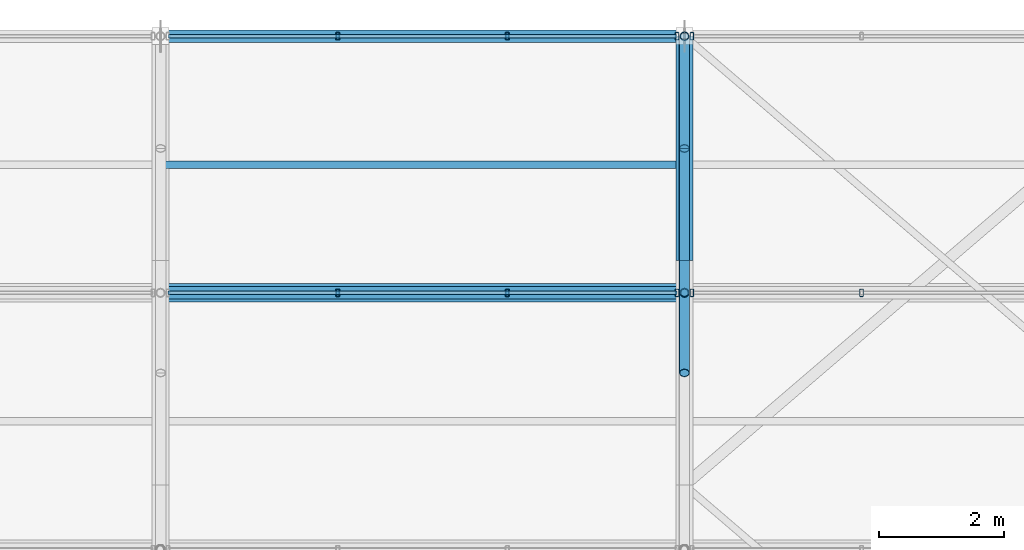
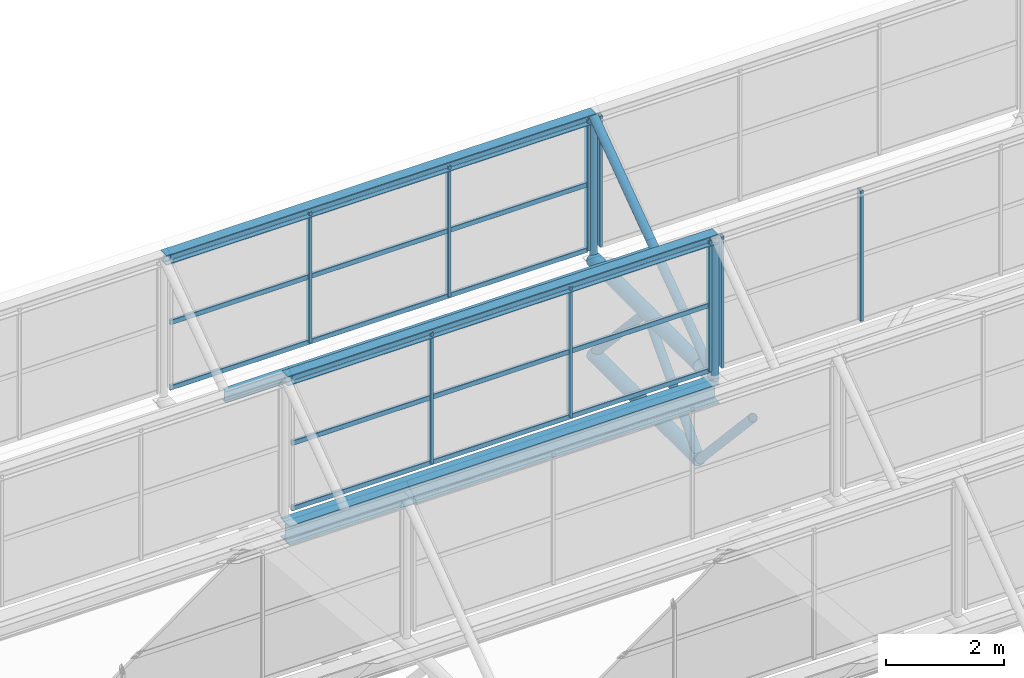
# One storey, part 92 of 134: 23 members, 4 beams, 4 elements without a shape of their own.
"""IFC4 building model written with IfcOpenShell, lengths in metres."""

from ifc_helpers import new_model, si_unit, derived_unit, direction, frame, origin, origin_2d, place, context, subcontext, project, spatial, hollow_rectangle, hollow_circle, i_section, extrude, material, material_profile, profile_set, type_object, element, aggregate, save


model = new_model("IFC4")

# Units and contexts
model_context = context("Model", 3, precision=1e-05, world=origin(), true_north=direction((0.0, 1.0)))
body_context = subcontext(model_context, "Body", "Model", "MODEL_VIEW")
ifc_project = project(units=[si_unit("LENGTHUNIT", "METRE"), si_unit("AREAUNIT", "SQUARE_METRE"), si_unit("VOLUMEUNIT", "CUBIC_METRE"), si_unit("PLANEANGLEUNIT", "RADIAN"), si_unit("MASSUNIT", "GRAM", prefix="KILO"), derived_unit("THERMALTRANSMITTANCEUNIT", [(si_unit("MASSUNIT", "GRAM", prefix="KILO"), 1), (si_unit("TIMEUNIT", "SECOND"), -3), (si_unit("THERMODYNAMICTEMPERATUREUNIT", "KELVIN"), -1)])], contexts=[model_context])

# Site, building, storey
site_placement = place(None, origin())
site = spatial("IfcSite", under=ifc_project, at=site_placement, CompositionType="ELEMENT")
building_placement = place(site_placement, origin())
building = spatial("IfcBuilding", under=site, at=building_placement, Name="Kharveza Railside Sports Centre", CompositionType="ELEMENT")
storey_placement = place(building_placement, frame((0.0, 0.0, 12.89990234375)))
storey = spatial("IfcBuildingStorey", under=building, at=storey_placement, Name="L03", CompositionType="ELEMENT", Elevation=12.89990234375)

# Beams
ifc_material_1 = material(Name="Steel S355J2", Category="steel")
ifc_material_profile_1 = material_profile(ifc_material_1, i_section(OverallWidth=0.300048828125, OverallDepth=0.39990234375, WebThickness=0.013427734375, FlangeThickness=0.02392578125, FilletRadius=0.027099609375, at=origin_2d()), Name="HEB 400")
ifc_profile_set_1 = profile_set([ifc_material_profile_1], Name="Steel S355J2")
beam_type_1 = type_object("IfcBeamType", Name="BM-G07", PredefinedType="T_BEAM", material=ifc_profile_set_1)
beam_1_placement = place(storey_placement, frame((126.0, 103.8857421875, 1.760009765625), z_axis=(1.0, 0.0, 0.0), x_axis=(0.0, 1.0, 0.0)))
element("IfcBeam", 1, at=beam_1_placement, inside=storey, type_object=beam_type_1, Name="BM-V2SAW-VAL-7-5", PredefinedType="T_BEAM", context=body_context, shape_type="SweptSolid", body=[
    extrude(i_section(OverallWidth=0.300048828125, OverallDepth=0.39990234375, WebThickness=0.013427734375, FlangeThickness=0.02392578125, FilletRadius=0.027099609375, at=origin_2d()), origin(), (0.0, 0.0, 1.0), 8.39990234375),
])
ifc_material_2 = material(Name="Steel S275JR", Category="steel")
ifc_material_profile_2 = material_profile(ifc_material_2, i_section(OverallWidth=0.1201171875, OverallDepth=0.239990234375, WebThickness=0.006103515625, FlangeThickness=0.009765625, FilletRadius=0.014892578125, at=origin_2d()), Name="IPE 240")
ifc_profile_set_2 = profile_set([ifc_material_profile_2], Name="Steel S275JR")
beam_type_2 = type_object("IfcBeamType", Name="BM-J01", PredefinedType="JOIST", material=ifc_profile_set_2)
beam_2_placement = place(storey_placement, frame((126.0, 105.94287109375, 3.320068359375), z_axis=(1.0, 0.0, 0.0), x_axis=(0.0, 1.0, 0.0)))
element("IfcBeam", 2, at=beam_2_placement, inside=storey, type_object=beam_type_2, Name="BM-V2SAW-PUR-7-5", PredefinedType="JOIST", context=body_context, shape_type="SweptSolid", body=[
    extrude(i_section(OverallWidth=0.1201171875, OverallDepth=0.239990234375, WebThickness=0.006103515625, FlangeThickness=0.009765625, FilletRadius=0.014892578125, at=origin_2d()), origin(), (0.0, 0.0, 1.0), 8.39990234375),
])
ifc_material_profile_3 = material_profile(ifc_material_2, i_section(OverallWidth=0.199951171875, OverallDepth=0.199951171875, WebThickness=0.009033203125, FlangeThickness=0.014892578125, FilletRadius=0.01806640625, at=origin_2d()), Name="HEB 200")
ifc_profile_set_3 = profile_set([ifc_material_profile_3], Name="Steel S275JR")
beam_type_3 = type_object("IfcBeamType", Name="BM-J05", PredefinedType="JOIST", material=ifc_profile_set_3)
for number, where, z_axis, x_axis, name in (
    (3, (126.0, 103.8857421875, 4.920166015625), (1.0, 0.0, 0.0), (0.0, 1.0, 0.0), "BM-V2SAW-RDG-6-5"),
    (4, (126.0, 108.0, 4.920166015625), (1.0, 0.0, 0.0), (0.0, 1.0, 0.0), "BM-V2SAW-RDG-7-5"),
):
    element("IfcBeam", number, at=place(storey_placement, frame(where, z_axis=z_axis, x_axis=x_axis)), inside=storey, type_object=beam_type_3, Name=name, PredefinedType="JOIST", context=body_context, shape_type="SweptSolid", body=[
        extrude(i_section(OverallWidth=0.199951171875, OverallDepth=0.199951171875, WebThickness=0.009033203125, FlangeThickness=0.014892578125, FilletRadius=0.01806640625, at=origin_2d()), origin(), (0.0, 0.0, 1.0), 8.39990234375),
    ])

# Curtain wall, members
ifc_material_3 = material(Name="Low-E solar-control laminated glass", Category="glass")
curtain_wall_type = type_object("IfcCurtainWallType", Name="CW-NL02", PredefinedType="NOTDEFINED", material=ifc_material_3)
curtain_wall_1_placement = place(storey_placement, origin())
curtain_wall_1 = element("IfcCurtainWall", 5, at=curtain_wall_1_placement, inside=storey, type_object=curtain_wall_type, Name="CW-V2NL-6-5", PredefinedType="NOTDEFINED")
ifc_material_4 = material(Name="Anodised aluminium 6063-T6", Category="aluminium")
ifc_material_profile_4 = material_profile(ifc_material_4, hollow_rectangle(XDim=0.06005859375, YDim=0.1201171875, WallThickness=0.0048828125, InnerFilletRadius=0.0048828125, OuterFilletRadius=0.010009765625, at=origin_2d()), Name="RHS 60x120x5.0")
ifc_profile_set_4 = profile_set([ifc_material_profile_4], Name="Anodised aluminium 6063-T6")
member_type_1 = type_object("IfcMemberType", Name="CW-ML05", PredefinedType="MULLION", material=ifc_profile_set_4)
member_1_placement = place(storey_placement, frame((128.840087890625, 103.8857421875, 2.2001953125), z_axis=(0.0, 0.0, 1.0), x_axis=(1.0, 0.0, 0.0)))
member_1 = element("IfcMember", 6, at=member_1_placement, type_object=member_type_1, Name="CW-V2NL-6-5-ML2", PredefinedType="MULLION", context=body_context, shape_type="SweptSolid", body=[
    extrude(hollow_rectangle(XDim=0.06005859375, YDim=0.1201171875, WallThickness=0.0048828125, InnerFilletRadius=0.0048828125, OuterFilletRadius=0.010009765625, at=origin_2d()), origin(), (0.0, 0.0, 1.0), 2.699951171875),
])
member_2_placement = place(storey_placement, frame((131.56005859375, 103.8857421875, 2.2001953125), z_axis=(0.0, 0.0, 1.0), x_axis=(1.0, 0.0, 0.0)))
member_2 = element("IfcMember", 7, at=member_2_placement, type_object=member_type_1, Name="CW-V2NL-6-5-ML3", PredefinedType="MULLION", context=body_context, shape_type="SweptSolid", body=[
    extrude(hollow_rectangle(XDim=0.06005859375, YDim=0.1201171875, WallThickness=0.0048828125, InnerFilletRadius=0.0048828125, OuterFilletRadius=0.010009765625, at=origin_2d()), origin(), (0.0, 0.0, 1.0), 2.699951171875),
])
member_3_placement = place(storey_placement, frame((134.280029296875, 103.8857421875, 2.2001953125), z_axis=(0.0, 0.0, 1.0), x_axis=(1.0, 0.0, 0.0)))
member_3 = element("IfcMember", 8, at=member_3_placement, type_object=member_type_1, Name="CW-V2NL-6-5-ML4", PredefinedType="MULLION", context=body_context, shape_type="SweptSolid", body=[
    extrude(hollow_rectangle(XDim=0.06005859375, YDim=0.1201171875, WallThickness=0.0048828125, InnerFilletRadius=0.0048828125, OuterFilletRadius=0.010009765625, at=origin_2d()), origin(), (0.0, 0.0, 1.0), 2.699951171875),
])

curtain_wall_2_placement = place(storey_placement, origin())
curtain_wall_2 = element("IfcCurtainWall", 9, at=curtain_wall_2_placement, inside=storey, type_object=curtain_wall_type, Name="CW-V2NL-6-6", PredefinedType="NOTDEFINED")
member_4_placement = place(storey_placement, frame((134.52001953125, 103.8857421875, 2.2001953125), z_axis=(0.0, 0.0, 1.0), x_axis=(1.0, 0.0, 0.0)))
member_4 = element("IfcMember", 10, at=member_4_placement, type_object=member_type_1, Name="CW-V2NL-6-6-ML1", PredefinedType="MULLION", context=body_context, shape_type="SweptSolid", body=[
    extrude(hollow_rectangle(XDim=0.06005859375, YDim=0.1201171875, WallThickness=0.0048828125, InnerFilletRadius=0.0048828125, OuterFilletRadius=0.010009765625, at=origin_2d()), origin(), (0.0, 0.0, 1.0), 2.699951171875),
])
member_5_placement = place(storey_placement, frame((137.239990234375, 103.8857421875, 2.2001953125), z_axis=(0.0, 0.0, 1.0), x_axis=(1.0, 0.0, 0.0)))
member_5 = element("IfcMember", 11, at=member_5_placement, type_object=member_type_1, Name="CW-V2NL-6-6-ML2", PredefinedType="MULLION", context=body_context, shape_type="SweptSolid", body=[
    extrude(hollow_rectangle(XDim=0.06005859375, YDim=0.1201171875, WallThickness=0.0048828125, InnerFilletRadius=0.0048828125, OuterFilletRadius=0.010009765625, at=origin_2d()), origin(), (0.0, 0.0, 1.0), 2.699951171875),
])
aggregate(curtain_wall_2, [member_4, member_5])

curtain_wall_3_placement = place(storey_placement, origin())
curtain_wall_3 = element("IfcCurtainWall", 12, at=curtain_wall_3_placement, inside=storey, type_object=curtain_wall_type, Name="CW-V2NL-7-5", PredefinedType="NOTDEFINED")
member_6_placement = place(storey_placement, frame((128.840087890625, 108.0, 2.2001953125), z_axis=(0.0, 0.0, 1.0), x_axis=(1.0, 0.0, 0.0)))
member_6 = element("IfcMember", 13, at=member_6_placement, type_object=member_type_1, Name="CW-V2NL-7-5-ML2", PredefinedType="MULLION", context=body_context, shape_type="SweptSolid", body=[
    extrude(hollow_rectangle(XDim=0.06005859375, YDim=0.1201171875, WallThickness=0.0048828125, InnerFilletRadius=0.0048828125, OuterFilletRadius=0.010009765625, at=origin_2d()), origin(), (0.0, 0.0, 1.0), 2.699951171875),
])
member_7_placement = place(storey_placement, frame((131.56005859375, 108.0, 2.2001953125), z_axis=(0.0, 0.0, 1.0), x_axis=(1.0, 0.0, 0.0)))
member_7 = element("IfcMember", 14, at=member_7_placement, type_object=member_type_1, Name="CW-V2NL-7-5-ML3", PredefinedType="MULLION", context=body_context, shape_type="SweptSolid", body=[
    extrude(hollow_rectangle(XDim=0.06005859375, YDim=0.1201171875, WallThickness=0.0048828125, InnerFilletRadius=0.0048828125, OuterFilletRadius=0.010009765625, at=origin_2d()), origin(), (0.0, 0.0, 1.0), 2.699951171875),
])
member_8_placement = place(storey_placement, frame((134.280029296875, 108.0, 2.2001953125), z_axis=(0.0, 0.0, 1.0), x_axis=(1.0, 0.0, 0.0)))
member_8 = element("IfcMember", 15, at=member_8_placement, type_object=member_type_1, Name="CW-V2NL-7-5-ML4", PredefinedType="MULLION", context=body_context, shape_type="SweptSolid", body=[
    extrude(hollow_rectangle(XDim=0.06005859375, YDim=0.1201171875, WallThickness=0.0048828125, InnerFilletRadius=0.0048828125, OuterFilletRadius=0.010009765625, at=origin_2d()), origin(), (0.0, 0.0, 1.0), 2.699951171875),
])

# Curtain wall, member
curtain_wall_4_placement = place(storey_placement, origin())
curtain_wall_4 = element("IfcCurtainWall", 16, at=curtain_wall_4_placement, inside=storey, type_object=curtain_wall_type, Name="CW-V2NL-7-6", PredefinedType="NOTDEFINED")
member_9_placement = place(storey_placement, frame((134.52001953125, 108.0, 2.2001953125), z_axis=(0.0, 0.0, 1.0), x_axis=(1.0, 0.0, 0.0)))
member_9 = element("IfcMember", 17, at=member_9_placement, type_object=member_type_1, Name="CW-V2NL-7-6-ML1", PredefinedType="MULLION", context=body_context, shape_type="SweptSolid", body=[
    extrude(hollow_rectangle(XDim=0.06005859375, YDim=0.1201171875, WallThickness=0.0048828125, InnerFilletRadius=0.0048828125, OuterFilletRadius=0.010009765625, at=origin_2d()), origin(), (0.0, 0.0, 1.0), 2.699951171875),
])
aggregate(curtain_wall_4, [member_9])

# Member
ifc_material_profile_5 = material_profile(ifc_material_4, hollow_rectangle(XDim=0.06005859375, YDim=0.10009765625, WallThickness=0.00390625, InnerFilletRadius=0.00390625, OuterFilletRadius=0.008056640625, at=origin_2d()), Name="RHS 60x100x4.0")
ifc_profile_set_5 = profile_set([ifc_material_profile_5], Name="Anodised aluminium 6063-T6")
member_type_2 = type_object("IfcMemberType", Name="CW-TR05", PredefinedType="USERDEFINED", material=ifc_profile_set_5)
member_10_placement = place(storey_placement, frame((126.1201171875, 103.8857421875, 2.2001953125), z_axis=(1.0, 0.0, 0.0), x_axis=(0.0, 1.0, 0.0)))
member_10 = element("IfcMember", 18, at=member_10_placement, type_object=member_type_2, Name="CW-V2NL-6-5-TR1", ObjectType="TRANSOM", PredefinedType="USERDEFINED", context=body_context, shape_type="SweptSolid", body=[
    extrude(hollow_rectangle(XDim=0.06005859375, YDim=0.10009765625, WallThickness=0.00390625, InnerFilletRadius=0.00390625, OuterFilletRadius=0.008056640625, at=origin_2d()), origin(), (0.0, 0.0, 1.0), 8.159912109375),
])

member_11_placement = place(storey_placement, frame((126.1201171875, 103.8857421875, 3.550048828125), z_axis=(1.0, 0.0, 0.0), x_axis=(0.0, 1.0, 0.0)))
member_11 = element("IfcMember", 19, at=member_11_placement, type_object=member_type_2, Name="CW-V2NL-6-5-TR2", ObjectType="TRANSOM", PredefinedType="USERDEFINED", context=body_context, shape_type="SweptSolid", body=[
    extrude(hollow_rectangle(XDim=0.06005859375, YDim=0.10009765625, WallThickness=0.00390625, InnerFilletRadius=0.00390625, OuterFilletRadius=0.008056640625, at=origin_2d()), origin(), (0.0, 0.0, 1.0), 8.159912109375),
])

member_12_placement = place(storey_placement, frame((126.1201171875, 103.8857421875, 4.900146484375), z_axis=(1.0, 0.0, 0.0), x_axis=(0.0, 1.0, 0.0)))
member_12 = element("IfcMember", 20, at=member_12_placement, type_object=member_type_2, Name="CW-V2NL-6-5-TR3", ObjectType="TRANSOM", PredefinedType="USERDEFINED", context=body_context, shape_type="SweptSolid", body=[
    extrude(hollow_rectangle(XDim=0.06005859375, YDim=0.10009765625, WallThickness=0.00390625, InnerFilletRadius=0.00390625, OuterFilletRadius=0.008056640625, at=origin_2d()), origin(), (0.0, 0.0, 1.0), 8.159912109375),
])

aggregate(curtain_wall_1, [member_1, member_2, member_3, member_10, member_11, member_12])

member_13_placement = place(storey_placement, frame((126.1201171875, 108.0, 2.2001953125), z_axis=(1.0, 0.0, 0.0), x_axis=(0.0, 1.0, 0.0)))
member_13 = element("IfcMember", 21, at=member_13_placement, type_object=member_type_2, Name="CW-V2NL-7-5-TR1", ObjectType="TRANSOM", PredefinedType="USERDEFINED", context=body_context, shape_type="SweptSolid", body=[
    extrude(hollow_rectangle(XDim=0.06005859375, YDim=0.10009765625, WallThickness=0.00390625, InnerFilletRadius=0.00390625, OuterFilletRadius=0.008056640625, at=origin_2d()), origin(), (0.0, 0.0, 1.0), 8.159912109375),
])

member_14_placement = place(storey_placement, frame((126.1201171875, 108.0, 3.550048828125), z_axis=(1.0, 0.0, 0.0), x_axis=(0.0, 1.0, 0.0)))
member_14 = element("IfcMember", 22, at=member_14_placement, type_object=member_type_2, Name="CW-V2NL-7-5-TR2", ObjectType="TRANSOM", PredefinedType="USERDEFINED", context=body_context, shape_type="SweptSolid", body=[
    extrude(hollow_rectangle(XDim=0.06005859375, YDim=0.10009765625, WallThickness=0.00390625, InnerFilletRadius=0.00390625, OuterFilletRadius=0.008056640625, at=origin_2d()), origin(), (0.0, 0.0, 1.0), 8.159912109375),
])

member_15_placement = place(storey_placement, frame((126.1201171875, 108.0, 4.900146484375), z_axis=(1.0, 0.0, 0.0), x_axis=(0.0, 1.0, 0.0)))
member_15 = element("IfcMember", 23, at=member_15_placement, type_object=member_type_2, Name="CW-V2NL-7-5-TR3", ObjectType="TRANSOM", PredefinedType="USERDEFINED", context=body_context, shape_type="SweptSolid", body=[
    extrude(hollow_rectangle(XDim=0.06005859375, YDim=0.10009765625, WallThickness=0.00390625, InnerFilletRadius=0.00390625, OuterFilletRadius=0.008056640625, at=origin_2d()), origin(), (0.0, 0.0, 1.0), 8.159912109375),
])

aggregate(curtain_wall_3, [member_6, member_7, member_8, member_13, member_14, member_15])

# Members
ifc_material_profile_6 = material_profile(ifc_material_1, hollow_circle(Radius=0.136474609375, WallThickness=0.01416015625, at=origin_2d()), Name="CHS 273.0x14.2")
ifc_profile_set_6 = profile_set([ifc_material_profile_6], Name="Steel S355J2")
member_type_3 = type_object("IfcMemberType", Name="MB-CH03", PredefinedType="CHORD", material=ifc_profile_set_6)
for number, where, z_axis, x_axis, name in (
    (24, (134.39990234375, 104.39990234375, 0.0), (0.0, 1.0, 0.0), (-1.0, 0.0, 0.0), "MB-V2TR-BC-6-8"),
    (25, (134.39990234375, 104.39990234375, 1.9501953125), (0.0, 1.0, 0.0), (-1.0, 0.0, 0.0), "MB-V2TR-TC-6-8"),
):
    element("IfcMember", number, at=place(storey_placement, frame(where, z_axis=z_axis, x_axis=x_axis)), inside=storey, type_object=member_type_3, Name=name, PredefinedType="CHORD", context=body_context, shape_type="SweptSolid", body=[
        extrude(hollow_circle(Radius=0.136474609375, WallThickness=0.01416015625, at=origin_2d()), origin(), (0.0, 0.0, 1.0), 3.60009765625),
    ])
ifc_material_profile_7 = material_profile(ifc_material_1, hollow_circle(Radius=0.084228515625, WallThickness=0.010009765625, at=origin_2d()), Name="CHS 168.3x10.0")
ifc_profile_set_7 = profile_set([ifc_material_profile_7], Name="Steel S355J2")
member_type_4 = type_object("IfcMemberType", Name="MB-ST03", PredefinedType="STRUT", material=ifc_profile_set_7)
member_16_placement = place(storey_placement, frame((134.39990234375, 102.60009765625, 1.9501953125), z_axis=(0.0, 0.678203679629, -0.734873981671), x_axis=(-1.0, 0.0, 0.0)))
element("IfcMember", 26, at=member_16_placement, inside=storey, type_object=member_type_4, Name="MB-V2TR-D2-6-7", PredefinedType="STRUT", context=body_context, shape_type="SweptSolid", body=[
    extrude(hollow_circle(Radius=0.084228515625, WallThickness=0.010009765625, at=origin_2d()), origin(), (0.0, 0.0, 1.0), 2.65380859375),
])
for number, where, z_axis, x_axis, name in (
    (27, (134.39990234375, 104.39990234375, 0.0), (0.0, 0.67825335715, 0.734828131956), (-1.0, 0.0, 0.0), "MB-V2TR-D1-6-8"),
    (28, (134.39990234375, 106.199951171875, 1.9501953125), (0.0, 0.67825335715, -0.734828131956), (-1.0, 0.0, 0.0), "MB-V2TR-D2-6-8"),
):
    element("IfcMember", number, at=place(storey_placement, frame(where, z_axis=z_axis, x_axis=x_axis)), inside=storey, type_object=member_type_4, Name=name, PredefinedType="STRUT", context=body_context, shape_type="SweptSolid", body=[
        extrude(hollow_circle(Radius=0.084228515625, WallThickness=0.010009765625, at=origin_2d()), origin(), (0.0, 0.0, 1.0), 2.654052734375),
    ])
member_17_placement = place(storey_placement, frame((134.39990234375, 103.8857421875, 1.9501953125), z_axis=(0.0, 0.810813691418, 0.585304329225), x_axis=(-1.0, 0.0, 0.0)))
element("IfcMember", 29, at=member_17_placement, inside=storey, type_object=member_type_4, Name="MB-V2SAW-RFT-7-6", PredefinedType="STRUT", context=body_context, shape_type="SweptSolid", body=[
    extrude(hollow_circle(Radius=0.084228515625, WallThickness=0.010009765625, at=origin_2d()), origin(), (0.0, 0.0, 1.0), 5.07421875),
])
ifc_material_profile_8 = material_profile(ifc_material_1, hollow_circle(Radius=0.06982421875, WallThickness=0.008056640625, at=origin_2d()), Name="CHS 139.7x8.0")
ifc_profile_set_8 = profile_set([ifc_material_profile_8], Name="Steel S355J2")
member_type_5 = type_object("IfcMemberType", Name="MB-ST04", PredefinedType="STRUT", material=ifc_profile_set_8)
for number, where, z_axis, x_axis, name in (
    (30, (134.39990234375, 103.8857421875, 1.9501953125), (0.0, 0.0, 1.0), (1.0, 0.0, 0.0), "MB-V2SAW-PST-6-6"),
    (31, (134.39990234375, 108.0, 1.9501953125), (0.0, 0.0, 1.0), (1.0, 0.0, 0.0), "MB-V2SAW-PST-7-6"),
):
    element("IfcMember", number, at=place(storey_placement, frame(where, z_axis=z_axis, x_axis=x_axis)), inside=storey, type_object=member_type_5, Name=name, PredefinedType="STRUT", context=body_context, shape_type="SweptSolid", body=[
        extrude(hollow_circle(Radius=0.06982421875, WallThickness=0.008056640625, at=origin_2d()), origin(), (0.0, 0.0, 1.0), 2.969970703125),
    ])

save(model, "model.ifc")
